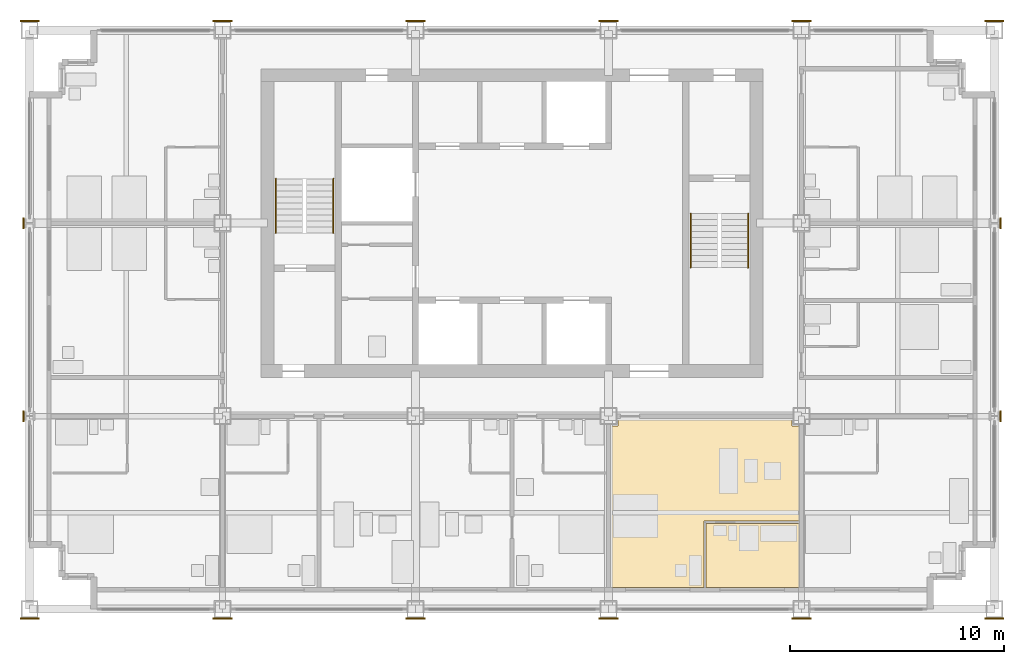
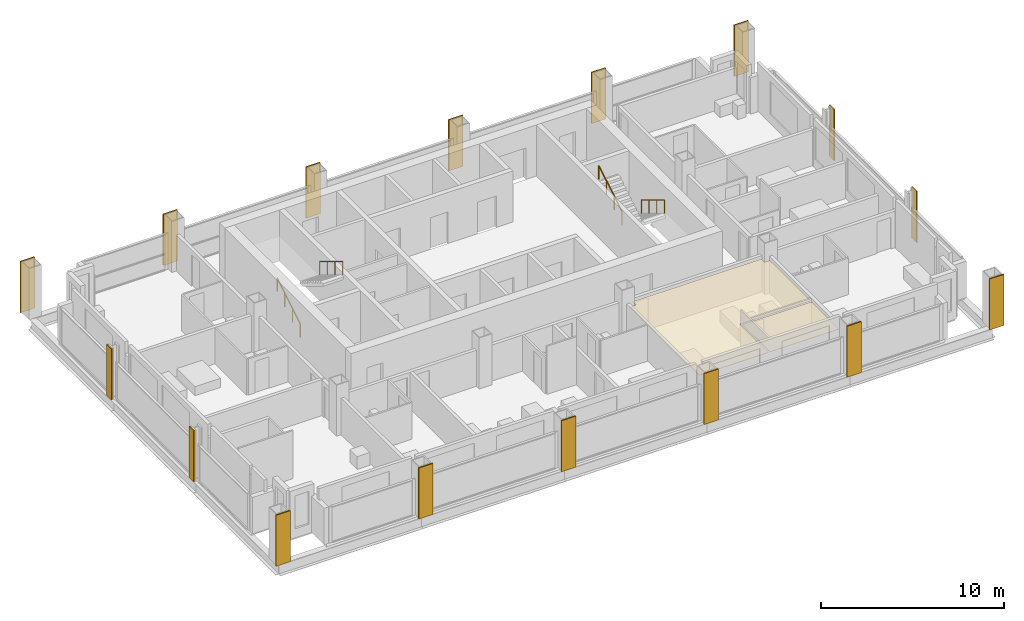
# One storey, part 11 of 13: 18 coverings, 4 railings.
"""IFC4 building model written with IfcOpenShell, lengths in metres."""

from ifc_helpers import new_model, si_unit, direction, frame, origin, origin_2d, place, context, subcontext, project, spatial, polyline, rectangle, circle, outline, extrude, material, layer, layer_set, type_object, element, save


model = new_model("IFC4")

# Units and contexts
model_context = context("Model", 3, precision=1e-05, world=origin(), true_north=direction((0.0, 1.0)))
body_context = subcontext(model_context, "Body", "Model", "MODEL_VIEW")
ifc_project = project(units=[si_unit("LENGTHUNIT", "METRE"), si_unit("AREAUNIT", "SQUARE_METRE"), si_unit("VOLUMEUNIT", "CUBIC_METRE"), si_unit("PLANEANGLEUNIT", "RADIAN"), si_unit("MASSUNIT", "GRAM", prefix="KILO")], contexts=[model_context])

# Site, building, storey
site_placement = place(None, origin())
site = spatial("IfcSite", under=ifc_project, at=site_placement, CompositionType="ELEMENT")
building_placement = place(site_placement, origin())
building = spatial("IfcBuilding", under=site, at=building_placement, Name="Loomwork Tower", CompositionType="ELEMENT")
storey_placement = place(building_placement, frame((0.0, 0.0, 197.800048828125)))
storey = spatial("IfcBuildingStorey", under=building, at=storey_placement, Name="L54", CompositionType="ELEMENT", Elevation=197.800048828125)

# Railings
ifc_material_1 = material(Name="Stainless steel handrail", Category="steel")
railing_type = type_object("IfcRailingType", Name="Handrail 900", PredefinedType="HANDRAIL", material=ifc_material_1)
railing_1_placement = place(storey_placement, frame((11.485107421875, 17.550048828125, 0.169921875)))
element("IfcRailing", 1, at=railing_1_placement, inside=storey, type_object=railing_type, Name="Stair A handrail flight 1 L54", PredefinedType="HANDRAIL", context=body_context, shape_type="SweptSolid", body=[
    extrude(circle(Radius=0.02392578125, at=origin_2d()), frame((0.0, 0.0, 0.8759765625), z_axis=(0.0, 0.85478489116, 0.518982456201), x_axis=(-1.0, 0.0, 0.0)), (0.0, 0.0, 1.0), 2.9482421875),
    extrude(circle(Radius=0.02099609375, at=origin_2d()), origin(), (0.0, 0.0, 1.0), 0.851806640625),
    extrude(circle(Radius=0.02099609375, at=origin_2d()), frame((0.0, 0.840087890625, 0.510009765625)), (0.0, 0.0, 1.0), 0.851806640625),
    extrude(circle(Radius=0.02099609375, at=origin_2d()), frame((0.0, 1.679931640625, 1.02001953125)), (0.0, 0.0, 1.0), 0.851806640625),
    extrude(circle(Radius=0.02099609375, at=origin_2d()), frame((0.0, 2.52001953125, 1.530029296875)), (0.0, 0.0, 1.0), 0.851806640625),
])
for number, where, name in (
    (2, (14.1650390625, 20.070068359375, 1.869873046875), "Stair A handrail flight 2 L54"),
    (3, (33.514892578125, 18.449951171875, 0.169921875), "Stair B handrail flight 1 L54"),
):
    element("IfcRailing", number, at=place(storey_placement, frame(where)), inside=storey, type_object=railing_type, Name=name, PredefinedType="HANDRAIL", context=body_context, shape_type="SweptSolid", body=[
        extrude(circle(Radius=0.02392578125, at=origin_2d()), frame((0.0, 0.0, 0.8759765625), z_axis=(0.0, -0.85478489116, 0.518982456201), x_axis=(1.0, 0.0, 0.0)), (0.0, 0.0, 1.0), 2.9482421875),
        extrude(circle(Radius=0.02099609375, at=origin_2d()), origin(), (0.0, 0.0, 1.0), 0.851806640625),
        extrude(circle(Radius=0.02099609375, at=origin_2d()), frame((0.0, -0.840087890625, 0.510009765625)), (0.0, 0.0, 1.0), 0.851806640625),
        extrude(circle(Radius=0.02099609375, at=origin_2d()), frame((0.0, -1.679931640625, 1.02001953125)), (0.0, 0.0, 1.0), 0.851806640625),
        extrude(circle(Radius=0.02099609375, at=origin_2d()), frame((0.0, -2.52001953125, 1.530029296875)), (0.0, 0.0, 1.0), 0.851806640625),
    ])
railing_2_placement = place(storey_placement, frame((30.8349609375, 15.929931640625, 1.869873046875)))
element("IfcRailing", 4, at=railing_2_placement, inside=storey, type_object=railing_type, Name="Stair B handrail flight 2 L54", PredefinedType="HANDRAIL", context=body_context, shape_type="SweptSolid", body=[
    extrude(circle(Radius=0.02392578125, at=origin_2d()), frame((0.0, 0.0, 0.8759765625), z_axis=(0.0, 0.85478489116, 0.518982456201), x_axis=(-1.0, 0.0, 0.0)), (0.0, 0.0, 1.0), 2.9482421875),
    extrude(circle(Radius=0.02099609375, at=origin_2d()), origin(), (0.0, 0.0, 1.0), 0.851806640625),
    extrude(circle(Radius=0.02099609375, at=origin_2d()), frame((0.0, 0.840087890625, 0.510009765625)), (0.0, 0.0, 1.0), 0.851806640625),
    extrude(circle(Radius=0.02099609375, at=origin_2d()), frame((0.0, 1.679931640625, 1.02001953125)), (0.0, 0.0, 1.0), 0.851806640625),
    extrude(circle(Radius=0.02099609375, at=origin_2d()), frame((0.0, 2.52001953125, 1.530029296875)), (0.0, 0.0, 1.0), 0.851806640625),
])

# Coverings
ifc_material_2 = material(Name="Limestone", Category="masonry")
ifc_layer_1 = layer(ifc_material_2, 0.080078125)
ifc_layer_set_1 = layer_set([ifc_layer_1], Name="Limestone pier facing 80")
covering_type_1 = type_object("IfcCoveringType", Name="Limestone pier facing 80", PredefinedType="CLADDING", material=ifc_layer_set_1)
covering_1_placement = place(storey_placement, frame((0.0, -0.43994140625, 0.0), z_axis=(0.0, 0.0, 1.0), x_axis=(1.0, 0.0, 0.0)))
element("IfcCovering", 5, at=covering_1_placement, inside=storey, type_object=covering_type_1, Name="Pier facing D/2 L54", PredefinedType="CLADDING", context=body_context, shape_type="SweptSolid", body=[
    extrude(rectangle(XDim=0.89990234375, YDim=0.080078125, at=origin_2d()), origin(), (0.0, 0.0, 1.0), 3.39990234375),
])
for number, where, z_axis, x_axis, name in (
    (6, (-0.28125, 9.0, 0.0), (0.0, 0.0, 1.0), (1.0, 0.0, 0.0), "Pier facing E/2 L54"),
    (7, (-0.28125, 18.0, 0.0), (0.0, 0.0, 1.0), (1.0, 0.0, 0.0), "Pier facing F/2 L54"),
):
    element("IfcCovering", number, at=place(storey_placement, frame(where, z_axis=z_axis, x_axis=x_axis)), inside=storey, type_object=covering_type_1, Name=name, PredefinedType="CLADDING", context=body_context, shape_type="SweptSolid", body=[
        extrude(rectangle(XDim=0.080078125, YDim=0.526611328125, at=origin_2d()), origin(), (0.0, 0.0, 1.0), 3.39990234375),
    ])
for number, where, z_axis, x_axis, name in (
    (8, (0.0, 27.43994140625, 0.0), (0.0, 0.0, 1.0), (1.0, 0.0, 0.0), "Pier facing G/2 L54"),
    (9, (9.0, -0.43994140625, 0.0), (0.0, 0.0, 1.0), (1.0, 0.0, 0.0), "Pier facing D/3 L54"),
    (10, (9.0, 27.43994140625, 0.0), (0.0, 0.0, 1.0), (1.0, 0.0, 0.0), "Pier facing G/3 L54"),
    (11, (18.0, -0.43994140625, 0.0), (0.0, 0.0, 1.0), (1.0, 0.0, 0.0), "Pier facing D/4 L54"),
    (12, (18.0, 27.43994140625, 0.0), (0.0, 0.0, 1.0), (1.0, 0.0, 0.0), "Pier facing G/4 L54"),
    (13, (27.0, -0.43994140625, 0.0), (0.0, 0.0, 1.0), (1.0, 0.0, 0.0), "Pier facing D/5 L54"),
    (14, (27.0, 27.43994140625, 0.0), (0.0, 0.0, 1.0), (1.0, 0.0, 0.0), "Pier facing G/5 L54"),
    (15, (36.0, -0.43994140625, 0.0), (0.0, 0.0, 1.0), (1.0, 0.0, 0.0), "Pier facing D/6 L54"),
    (16, (36.0, 27.43994140625, 0.0), (0.0, 0.0, 1.0), (1.0, 0.0, 0.0), "Pier facing G/6 L54"),
    (17, (45.0, -0.43994140625, 0.0), (0.0, 0.0, 1.0), (1.0, 0.0, 0.0), "Pier facing D/7 L54"),
):
    element("IfcCovering", number, at=place(storey_placement, frame(where, z_axis=z_axis, x_axis=x_axis)), inside=storey, type_object=covering_type_1, Name=name, PredefinedType="CLADDING", context=body_context, shape_type="SweptSolid", body=[
        extrude(rectangle(XDim=0.89990234375, YDim=0.080078125, at=origin_2d()), origin(), (0.0, 0.0, 1.0), 3.39990234375),
    ])
for number, where, z_axis, x_axis, name in (
    (18, (45.28125, 9.0, 0.0), (0.0, 0.0, 1.0), (1.0, 0.0, 0.0), "Pier facing E/7 L54"),
    (19, (45.28125, 18.0, 0.0), (0.0, 0.0, 1.0), (1.0, 0.0, 0.0), "Pier facing F/7 L54"),
):
    element("IfcCovering", number, at=place(storey_placement, frame(where, z_axis=z_axis, x_axis=x_axis)), inside=storey, type_object=covering_type_1, Name=name, PredefinedType="CLADDING", context=body_context, shape_type="SweptSolid", body=[
        extrude(rectangle(XDim=0.080078125, YDim=0.526611328125, at=origin_2d()), origin(), (0.0, 0.0, 1.0), 3.39990234375),
    ])
covering_2_placement = place(storey_placement, frame((45.0, 27.43994140625, 0.0), z_axis=(0.0, 0.0, 1.0), x_axis=(1.0, 0.0, 0.0)))
element("IfcCovering", 20, at=covering_2_placement, inside=storey, type_object=covering_type_1, Name="Pier facing G/7 L54", PredefinedType="CLADDING", context=body_context, shape_type="SweptSolid", body=[
    extrude(rectangle(XDim=0.89990234375, YDim=0.080078125, at=origin_2d()), origin(), (0.0, 0.0, 1.0), 3.39990234375),
])
ifc_material_3 = material(Name="Mineral fibre acoustic tile on suspension grid")
ifc_layer_2 = layer(ifc_material_3, 0.02490234375)
ifc_layer_set_2 = layer_set([ifc_layer_2], Name="Suspended acoustic ceiling")
covering_type_2 = type_object("IfcCoveringType", Name="Suspended acoustic ceiling", PredefinedType="CEILING", material=ifc_layer_set_2)
covering_3_placement = place(storey_placement, frame((0.0, 0.0, 2.175048828125)))
element("IfcCovering", 21, at=covering_3_placement, inside=storey, type_object=covering_type_2, Name="Ceiling Spa bathroom L54", PredefinedType="CEILING", context=body_context, shape_type="SweptSolid", body=[
    extrude(outline(polyline([(35.89990234375, 4.0), (35.89990234375, 1.0), (31.550048828125, 1.0), (31.550048828125, 4.0), (35.89990234375, 4.0)])), origin(), (0.0, 0.0, 1.0), 0.02490234375),
])
covering_4_placement = place(storey_placement, frame((0.0, 0.0, 2.175048828125)))
element("IfcCovering", 22, at=covering_4_placement, inside=storey, type_object=covering_type_2, Name="Ceiling Spa suite L54", PredefinedType="CEILING", context=body_context, shape_type="SweptSolid", body=[
    extrude(outline(polyline([(35.550048828125, 8.89990234375), (35.550048828125, 8.550048828125), (35.89990234375, 8.550048828125), (35.89990234375, 4.10009765625), (31.449951171875, 4.10009765625), (31.449951171875, 1.0), (27.10009765625, 1.0), (27.10009765625, 8.550048828125), (27.449951171875, 8.550048828125), (27.449951171875, 8.89990234375), (35.550048828125, 8.89990234375)])), origin(), (0.0, 0.0, 1.0), 0.02490234375),
])

save(model, "model.ifc")
